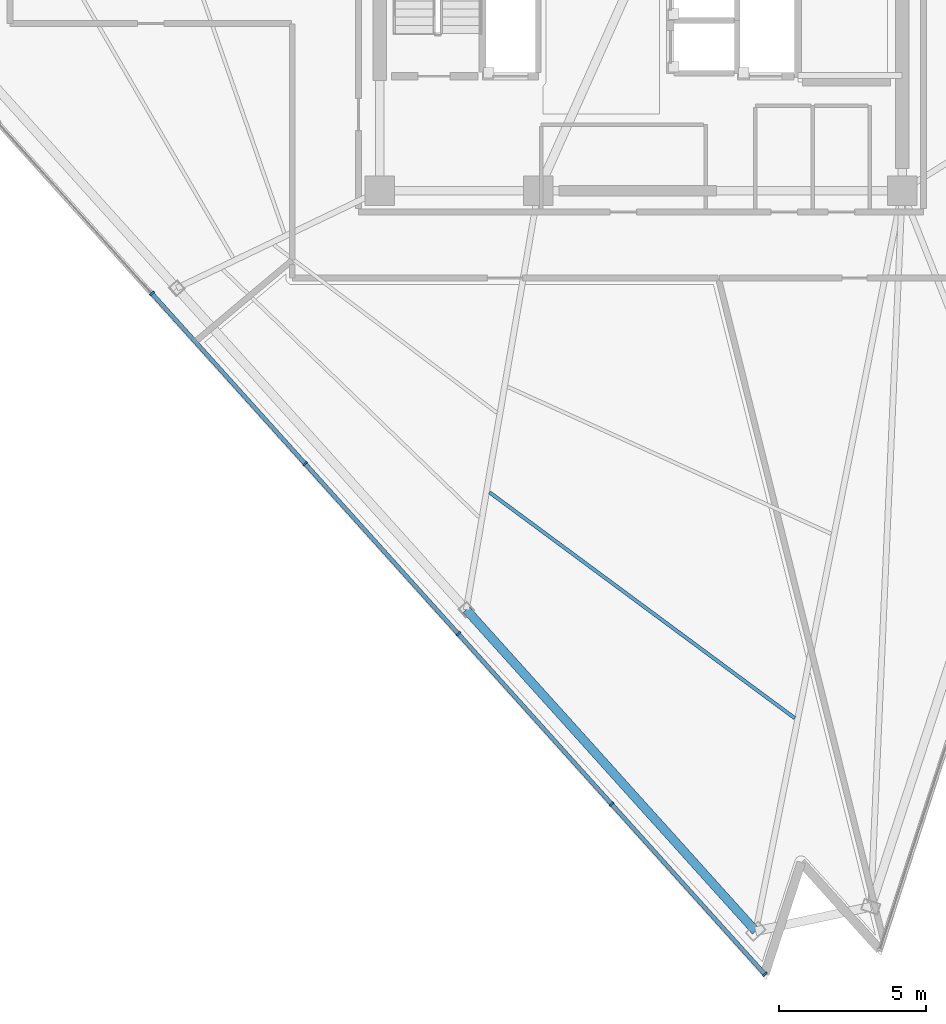
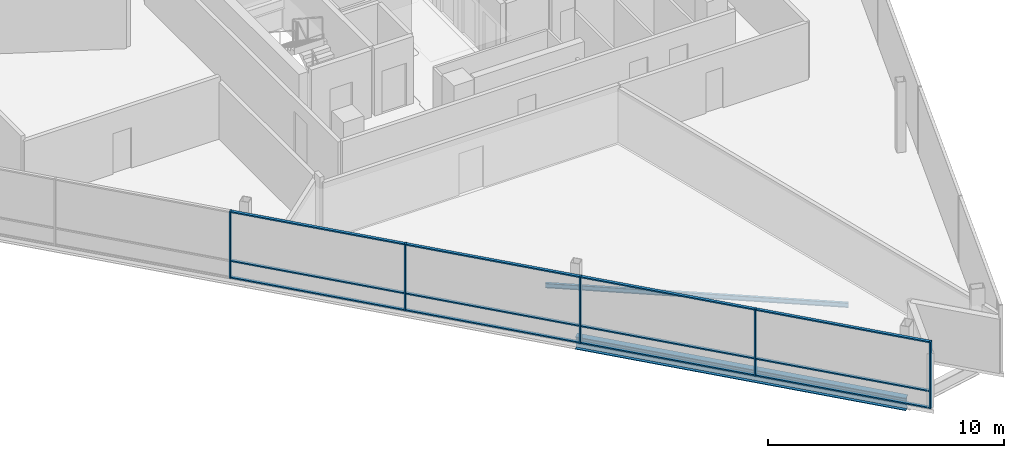
# One storey, part 2 of 15: 17 members, 2 beams, 1 element without a shape of its own.
"""IFC4 building model written with IfcOpenShell, lengths in metres."""

from ifc_helpers import new_model, si_unit, direction, frame, origin, origin_2d, place, context, subcontext, project, spatial, rectangle, i_section, extrude, material, layer, layer_set, material_profile, profile_set, type_object, element, aggregate, save


model = new_model("IFC4")

# Units and contexts
model_context = context("Model", 3, precision=1e-05, world=origin(), true_north=direction((0.0, 1.0)))
body_context = subcontext(model_context, "Body", "Model", "MODEL_VIEW")
ifc_project = project(units=[si_unit("LENGTHUNIT", "METRE"), si_unit("AREAUNIT", "SQUARE_METRE"), si_unit("VOLUMEUNIT", "CUBIC_METRE"), si_unit("PLANEANGLEUNIT", "RADIAN"), si_unit("MASSUNIT", "GRAM", prefix="KILO")], contexts=[model_context])

# Site, building, storey
site_placement = place(None, origin())
site = spatial("IfcSite", under=ifc_project, at=site_placement, CompositionType="ELEMENT")
building_placement = place(site_placement, origin())
building = spatial("IfcBuilding", under=site, at=building_placement, Name="Tharavind Bronze Gate", CompositionType="ELEMENT")
storey_placement = place(building_placement, frame((0.0, 0.0, 283.39990234375)))
storey = spatial("IfcBuildingStorey", under=building, at=storey_placement, Name="L73", CompositionType="ELEMENT", Elevation=283.39990234375)

# Curtain wall, members
ifc_material_1 = material(Name="Anodised Bronze Aluminium", Category="aluminium")
ifc_layer = layer(ifc_material_1, 0.219970703125)
ifc_layer_set = layer_set([ifc_layer], Name="Anodised Bronze Aluminium")
curtain_wall_type = type_object("IfcCurtainWallType", Name="UNITISED CURTAIN WALL CROWN", PredefinedType="USERDEFINED", material=ifc_layer_set)
curtain_wall_placement = place(storey_placement, origin())
curtain_wall = element("IfcCurtainWall", 1, at=curtain_wall_placement, inside=storey, type_object=curtain_wall_type, Name="L73 unitised curtain wall crown CW-L73-S1", ObjectType="UNITISED CURTAIN WALL", PredefinedType="USERDEFINED")
member_type_1 = type_object("IfcMemberType", Name="CURTAIN WALL BRONZE MULLION 65X180", PredefinedType="MULLION", material=ifc_material_1)
member_1_placement = place(storey_placement, frame((-16.663330078125, -11.101806640625, 0.0), z_axis=(0.0, 0.0, 1.0), x_axis=(0.669130606359, -0.743144825477, 0.0)))
member_1 = element("IfcMember", 2, at=member_1_placement, type_object=member_type_1, Name="CW-L73-S1 mullion 3", PredefinedType="MULLION", context=body_context, shape_type="SweptSolid", body=[
    extrude(rectangle(XDim=0.06494140625, YDim=0.179931640625, at=origin_2d()), origin(), (0.0, 0.0, 1.0), 3.465087890625),
])
member_2_placement = place(storey_placement, frame((-11.442138671875, -16.900390625, 0.0), z_axis=(0.0, 0.0, 1.0), x_axis=(0.669130606359, -0.743144825477, 0.0)))
member_2 = element("IfcMember", 3, at=member_2_placement, type_object=member_type_1, Name="CW-L73-S1 mullion 4", PredefinedType="MULLION", context=body_context, shape_type="SweptSolid", body=[
    extrude(rectangle(XDim=0.06494140625, YDim=0.179931640625, at=origin_2d()), origin(), (0.0, 0.0, 1.0), 3.465087890625),
])
member_3_placement = place(storey_placement, frame((-6.22119140625, -22.698974609375, 0.0), z_axis=(0.0, 0.0, 1.0), x_axis=(0.669130606359, -0.743144825477, 0.0)))
member_3 = element("IfcMember", 4, at=member_3_placement, type_object=member_type_1, Name="CW-L73-S1 mullion 5", PredefinedType="MULLION", context=body_context, shape_type="SweptSolid", body=[
    extrude(rectangle(XDim=0.06494140625, YDim=0.179931640625, at=origin_2d()), origin(), (0.0, 0.0, 1.0), 3.465087890625),
])
member_4_placement = place(storey_placement, frame((-1.000244140625, -28.49755859375, 0.0), z_axis=(0.0, 0.0, 1.0), x_axis=(0.669130606359, -0.743144825477, 0.0)))
member_4 = element("IfcMember", 5, at=member_4_placement, type_object=member_type_1, Name="CW-L73-S1 mullion 6", PredefinedType="MULLION", context=body_context, shape_type="SweptSolid", body=[
    extrude(rectangle(XDim=0.06494140625, YDim=0.179931640625, at=origin_2d()), origin(), (0.0, 0.0, 1.0), 3.465087890625),
])
member_5_placement = place(storey_placement, frame((4.220703125, -34.2958984375, 0.0), z_axis=(0.0, 0.0, 1.0), x_axis=(0.669130606359, -0.743144825477, 0.0)))
member_5 = element("IfcMember", 6, at=member_5_placement, type_object=member_type_1, Name="CW-L73-S1 mullion 7", PredefinedType="MULLION", context=body_context, shape_type="SweptSolid", body=[
    extrude(rectangle(XDim=0.06494140625, YDim=0.179931640625, at=origin_2d()), origin(), (0.0, 0.0, 1.0), 3.465087890625),
])
member_type_2 = type_object("IfcMemberType", Name="CURTAIN WALL BRONZE TRANSOM 65X140", PredefinedType="USERDEFINED", material=ifc_material_1)
member_6_placement = place(storey_placement, frame((-14.052734375, -14.001220703125, 0.000244140625), z_axis=(0.0, 0.0, 1.0), x_axis=(0.669130606359, -0.743144825477, 0.0)))
member_6 = element("IfcMember", 7, at=member_6_placement, type_object=member_type_2, Name="CW-L73-S1 transom TB3", ObjectType="TRANSOM", PredefinedType="USERDEFINED", context=body_context, shape_type="SweptSolid", body=[
    extrude(rectangle(XDim=7.749755859375, YDim=0.139892578125, at=origin_2d()), origin(), (0.0, 0.0, 1.0), 0.06494140625),
])
member_7_placement = place(storey_placement, frame((-14.052734375, -14.001220703125, 0.86767578125), z_axis=(0.0, 0.0, 1.0), x_axis=(0.669130606359, -0.743144825477, 0.0)))
member_7 = element("IfcMember", 8, at=member_7_placement, type_object=member_type_2, Name="CW-L73-S1 transom TS3", ObjectType="TRANSOM", PredefinedType="USERDEFINED", context=body_context, shape_type="SweptSolid", body=[
    extrude(rectangle(XDim=7.749755859375, YDim=0.139892578125, at=origin_2d()), origin(), (0.0, 0.0, 1.0), 0.06494140625),
])
member_8_placement = place(storey_placement, frame((-14.052734375, -14.001220703125, 3.400146484375), z_axis=(0.0, 0.0, 1.0), x_axis=(0.669130606359, -0.743144825477, 0.0)))
member_8 = element("IfcMember", 9, at=member_8_placement, type_object=member_type_2, Name="CW-L73-S1 transom TT3", ObjectType="TRANSOM", PredefinedType="USERDEFINED", context=body_context, shape_type="SweptSolid", body=[
    extrude(rectangle(XDim=7.749755859375, YDim=0.139892578125, at=origin_2d()), origin(), (0.0, 0.0, 1.0), 0.06494140625),
])
member_9_placement = place(storey_placement, frame((-8.831787109375, -19.7998046875, 0.000244140625), z_axis=(0.0, 0.0, 1.0), x_axis=(0.669130606359, -0.743144825477, 0.0)))
member_9 = element("IfcMember", 10, at=member_9_placement, type_object=member_type_2, Name="CW-L73-S1 transom TB4", ObjectType="TRANSOM", PredefinedType="USERDEFINED", context=body_context, shape_type="SweptSolid", body=[
    extrude(rectangle(XDim=7.749755859375, YDim=0.139892578125, at=origin_2d()), origin(), (0.0, 0.0, 1.0), 0.06494140625),
])
member_10_placement = place(storey_placement, frame((-8.831787109375, -19.7998046875, 0.86767578125), z_axis=(0.0, 0.0, 1.0), x_axis=(0.669130606359, -0.743144825477, 0.0)))
member_10 = element("IfcMember", 11, at=member_10_placement, type_object=member_type_2, Name="CW-L73-S1 transom TS4", ObjectType="TRANSOM", PredefinedType="USERDEFINED", context=body_context, shape_type="SweptSolid", body=[
    extrude(rectangle(XDim=7.749755859375, YDim=0.139892578125, at=origin_2d()), origin(), (0.0, 0.0, 1.0), 0.06494140625),
])
member_11_placement = place(storey_placement, frame((-8.831787109375, -19.7998046875, 3.400146484375), z_axis=(0.0, 0.0, 1.0), x_axis=(0.669130606359, -0.743144825477, 0.0)))
member_11 = element("IfcMember", 12, at=member_11_placement, type_object=member_type_2, Name="CW-L73-S1 transom TT4", ObjectType="TRANSOM", PredefinedType="USERDEFINED", context=body_context, shape_type="SweptSolid", body=[
    extrude(rectangle(XDim=7.749755859375, YDim=0.139892578125, at=origin_2d()), origin(), (0.0, 0.0, 1.0), 0.06494140625),
])
member_12_placement = place(storey_placement, frame((-3.610595703125, -25.59814453125, 0.000244140625), z_axis=(0.0, 0.0, 1.0), x_axis=(0.669130606359, -0.743144825477, 0.0)))
member_12 = element("IfcMember", 13, at=member_12_placement, type_object=member_type_2, Name="CW-L73-S1 transom TB5", ObjectType="TRANSOM", PredefinedType="USERDEFINED", context=body_context, shape_type="SweptSolid", body=[
    extrude(rectangle(XDim=7.749755859375, YDim=0.139892578125, at=origin_2d()), origin(), (0.0, 0.0, 1.0), 0.06494140625),
])
member_13_placement = place(storey_placement, frame((-3.610595703125, -25.59814453125, 0.86767578125), z_axis=(0.0, 0.0, 1.0), x_axis=(0.669130606359, -0.743144825477, 0.0)))
member_13 = element("IfcMember", 14, at=member_13_placement, type_object=member_type_2, Name="CW-L73-S1 transom TS5", ObjectType="TRANSOM", PredefinedType="USERDEFINED", context=body_context, shape_type="SweptSolid", body=[
    extrude(rectangle(XDim=7.749755859375, YDim=0.139892578125, at=origin_2d()), origin(), (0.0, 0.0, 1.0), 0.06494140625),
])
member_14_placement = place(storey_placement, frame((-3.610595703125, -25.59814453125, 3.400146484375), z_axis=(0.0, 0.0, 1.0), x_axis=(0.669130606359, -0.743144825477, 0.0)))
member_14 = element("IfcMember", 15, at=member_14_placement, type_object=member_type_2, Name="CW-L73-S1 transom TT5", ObjectType="TRANSOM", PredefinedType="USERDEFINED", context=body_context, shape_type="SweptSolid", body=[
    extrude(rectangle(XDim=7.749755859375, YDim=0.139892578125, at=origin_2d()), origin(), (0.0, 0.0, 1.0), 0.06494140625),
])
member_15_placement = place(storey_placement, frame((1.6103515625, -31.396728515625, 0.000244140625), z_axis=(0.0, 0.0, 1.0), x_axis=(0.669130606359, -0.743144825477, 0.0)))
member_15 = element("IfcMember", 16, at=member_15_placement, type_object=member_type_2, Name="CW-L73-S1 transom TB6", ObjectType="TRANSOM", PredefinedType="USERDEFINED", context=body_context, shape_type="SweptSolid", body=[
    extrude(rectangle(XDim=7.749755859375, YDim=0.139892578125, at=origin_2d()), origin(), (0.0, 0.0, 1.0), 0.06494140625),
])
member_16_placement = place(storey_placement, frame((1.6103515625, -31.396728515625, 0.86767578125), z_axis=(0.0, 0.0, 1.0), x_axis=(0.669130606359, -0.743144825477, 0.0)))
member_16 = element("IfcMember", 17, at=member_16_placement, type_object=member_type_2, Name="CW-L73-S1 transom TS6", ObjectType="TRANSOM", PredefinedType="USERDEFINED", context=body_context, shape_type="SweptSolid", body=[
    extrude(rectangle(XDim=7.749755859375, YDim=0.139892578125, at=origin_2d()), origin(), (0.0, 0.0, 1.0), 0.06494140625),
])
member_17_placement = place(storey_placement, frame((1.6103515625, -31.396728515625, 3.400146484375), z_axis=(0.0, 0.0, 1.0), x_axis=(0.669130606359, -0.743144825477, 0.0)))
member_17 = element("IfcMember", 18, at=member_17_placement, type_object=member_type_2, Name="CW-L73-S1 transom TT6", ObjectType="TRANSOM", PredefinedType="USERDEFINED", context=body_context, shape_type="SweptSolid", body=[
    extrude(rectangle(XDim=7.749755859375, YDim=0.139892578125, at=origin_2d()), origin(), (0.0, 0.0, 1.0), 0.06494140625),
])
aggregate(curtain_wall, [member_1, member_2, member_3, member_4, member_5, member_6, member_7, member_8, member_9, member_10, member_11, member_12, member_13, member_14, member_15, member_16, member_17])

# Beams
ifc_material_2 = material(Name="Steel S355", Category="steel")
ifc_material_profile_1 = material_profile(ifc_material_2, i_section(OverallWidth=0.300048828125, OverallDepth=0.64990234375, WebThickness=0.01611328125, FlangeThickness=0.031005859375, at=origin_2d()), Name="HE650B")
ifc_profile_set_1 = profile_set([ifc_material_profile_1], Name="Steel S355")
beam_type_1 = type_object("IfcBeamType", Name="PRIMARY GIRDER HE650B", PredefinedType="USERDEFINED", material=ifc_profile_set_1)
beam_1_placement = place(storey_placement, frame((-5.95361328125, -21.875244140625, -0.510009765625), z_axis=(0.669134014343, -0.7431417569, 0.0), x_axis=(0.7431417569, 0.669134014343, 0.0)))
element("IfcBeam", 19, at=beam_1_placement, inside=storey, type_object=beam_type_1, Name="L73 primary girder he650b BM-L73-PRG03", ObjectType="GIRDER", PredefinedType="USERDEFINED", context=body_context, shape_type="SweptSolid", body=[
    extrude(i_section(OverallWidth=0.300048828125, OverallDepth=0.64990234375, WebThickness=0.01611328125, FlangeThickness=0.031005859375, at=origin_2d()), origin(), (0.0, 0.0, 1.0), 14.7392578125),
])
ifc_material_profile_2 = material_profile(ifc_material_2, i_section(OverallWidth=0.1201171875, OverallDepth=0.239990234375, WebThickness=0.006103515625, FlangeThickness=0.009765625, at=origin_2d()), Name="IPE240")
ifc_profile_set_2 = profile_set([ifc_material_profile_2], Name="Steel S355")
beam_type_2 = type_object("IfcBeamType", Name="SECONDARY FLOOR JOIST IPE240", PredefinedType="JOIST", material=ifc_profile_set_2)
beam_2_placement = place(storey_placement, frame((-5.1611328125, -17.875732421875, -0.304931640625), z_axis=(0.803905058173, -0.594757645973, 0.0), x_axis=(0.594757645973, 0.803905058173, 0.0)))
element("IfcBeam", 20, at=beam_2_placement, inside=storey, type_object=beam_type_2, Name="L73 secondary floor joist ipe240 BM-L73-JSTB03", PredefinedType="JOIST", context=body_context, shape_type="SweptSolid", body=[
    extrude(i_section(OverallWidth=0.1201171875, OverallDepth=0.239990234375, WebThickness=0.006103515625, FlangeThickness=0.009765625, at=origin_2d()), origin(), (0.0, 0.0, 1.0), 12.937255859375),
])

save(model, "model.ifc")
